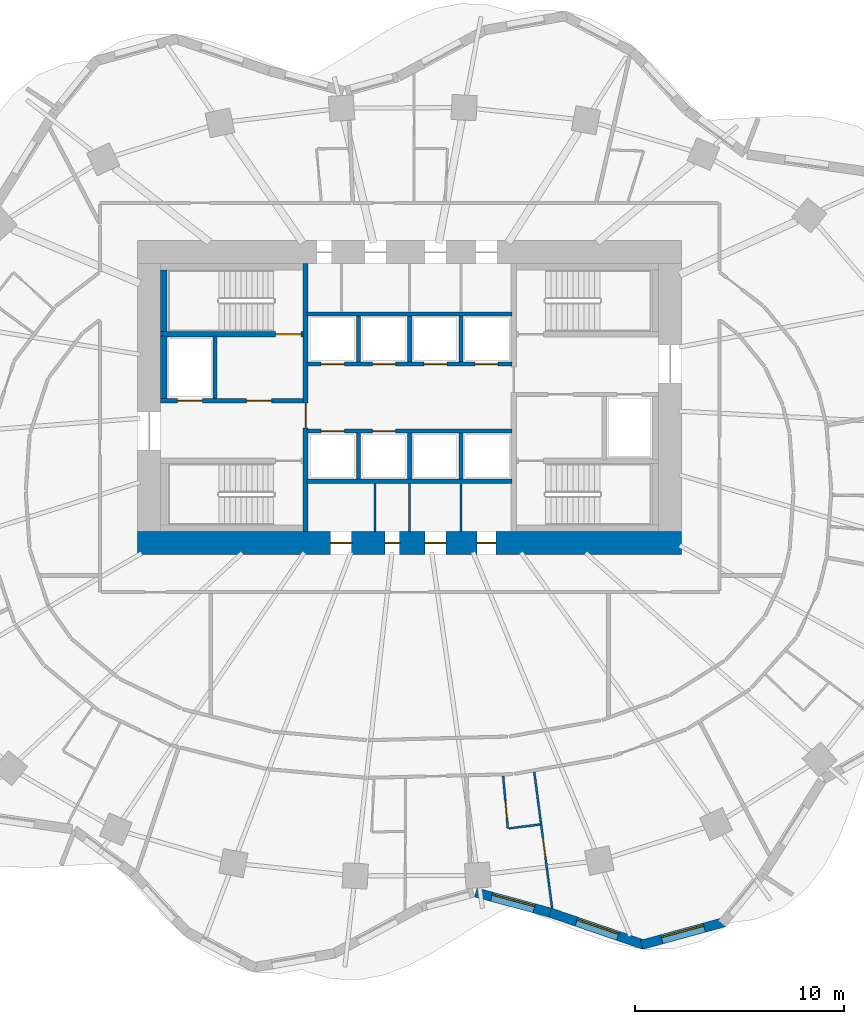
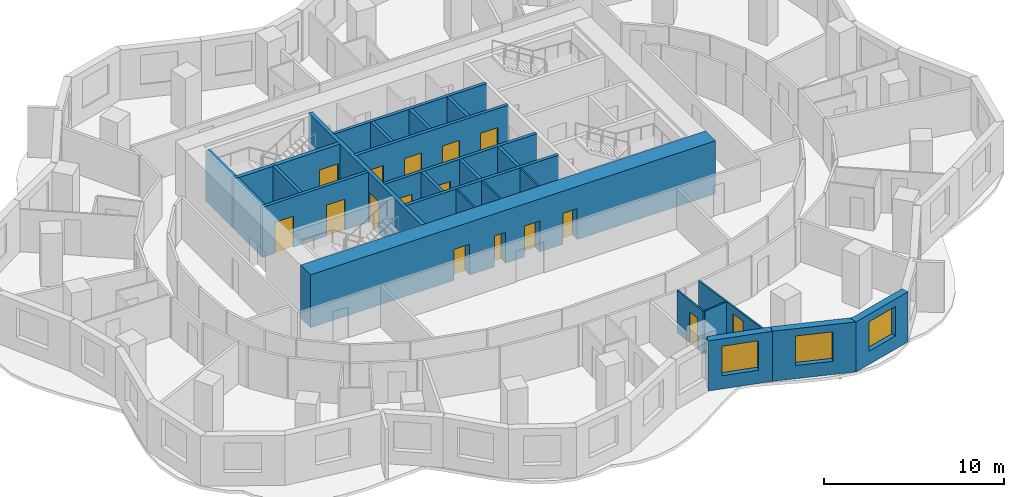
# One storey, part 5 of 10: 26 walls, 16 doors, 3 windows, 19 openings.
"""IFC4 building model written with IfcOpenShell, lengths in metres."""

from ifc_helpers import new_model, si_unit, direction, frame, frame_2d, origin, place, context, subcontext, project, spatial, rectangle, extrude, material, layer, layer_set, type_object, element, fill, save


model = new_model("IFC4")

# Units and contexts
model_context = context("Model", 3, precision=1e-05, world=origin(), true_north=direction((0.0, 1.0)))
body_context = subcontext(model_context, "Body", "Model", "MODEL_VIEW")
ifc_project = project(units=[si_unit("LENGTHUNIT", "METRE"), si_unit("AREAUNIT", "SQUARE_METRE"), si_unit("VOLUMEUNIT", "CUBIC_METRE"), si_unit("PLANEANGLEUNIT", "RADIAN"), si_unit("MASSUNIT", "GRAM", prefix="KILO")], contexts=[model_context])

# Site, building, storey
site_placement = place(None, origin())
site = spatial("IfcSite", under=ifc_project, at=site_placement, CompositionType="ELEMENT")
building_placement = place(site_placement, origin())
building = spatial("IfcBuilding", under=site, at=building_placement, Name="Rubra Terraces Tower", CompositionType="ELEMENT")
storey_placement = place(building_placement, frame((0.0, 0.0, 88.800048828125)))
storey = spatial("IfcBuildingStorey", under=building, at=storey_placement, Name="L20", CompositionType="ELEMENT", Elevation=88.800048828125)

# Wall, opening, window
ifc_material_1 = material(Name="Brick masonry red-brown", Category="masonry")
ifc_layer_1 = layer(ifc_material_1, 0.449951171875)
ifc_layer_set_1 = layer_set([ifc_layer_1], Name="Brick masonry red-brown")
wall_type_1 = type_object("IfcWallType", Name="Brick facade wall 450", PredefinedType="SOLIDWALL", material=ifc_layer_set_1)
wall_1_placement = place(storey_placement, frame((3.164306640625, -19.147216796875, 0.0), z_axis=(0.0, 0.0, 1.0), x_axis=(0.965039479998, -0.262104563191, 0.0)))
wall_1 = element("IfcWall", 1, at=wall_1_placement, inside=storey, type_object=wall_type_1, Name="Facade wall L20 bay 32", PredefinedType="SOLIDWALL", context=body_context, shape_type="SweptSolid", body=[
    extrude(rectangle(XDim=3.671875, YDim=0.449951171875, at=frame_2d((1.8359375, 0.0))), origin(), (0.0, 0.0, 1.0), 3.39990234375),
])
opening_1_placement = place(wall_1_placement, frame((0.785888671875, 0.0, 0.89990234375)))
opening_1 = element("IfcOpeningElement", 2, at=opening_1_placement, cuts=wall_1, Name="Opening W1", PredefinedType="OPENING", context=body_context, shape_type="SweptSolid", body=[
    extrude(rectangle(XDim=2.10009765625, YDim=2.0, at=frame_2d((1.050048828125, 1.0))), frame((0.0, 0.23486328125, 0.0), z_axis=(0.0, -1.0, 0.0), x_axis=(1.0, 0.0, 0.0)), (0.0, 0.0, 1.0), 0.469970703125),
])
ifc_material_2 = material(Name="Clear glass in aluminium frame", Category="aluminium")
window_type = type_object("IfcWindowType", Name="Fixed deep-set window 2100 x 2000", PartitioningType="SINGLE_PANEL", PredefinedType="WINDOW", material=ifc_material_2)
window_1_placement = place(opening_1_placement, origin())
window_1 = element("IfcWindow", 3, at=window_1_placement, inside=storey, type_object=window_type, Name="Window L20 bay 32", OverallHeight=2.0, OverallWidth=2.10009765625, PartitioningType="SINGLE_PANEL", PredefinedType="WINDOW", context=body_context, shape_type="SweptSolid", body=[
    extrude(rectangle(XDim=2.10009765625, YDim=2.0, at=frame_2d((1.050048828125, 1.0))), frame((0.0, 0.135009765625, 0.0), z_axis=(0.0, -1.0, 0.0), x_axis=(1.0, 0.0, 0.0)), (0.0, 0.0, 1.0), 0.06005859375),
])
fill(opening_1, window_1)

wall_2_placement = place(storey_placement, frame((6.722900390625, -20.114013671875, 0.0), z_axis=(0.0, 0.0, 1.0), x_axis=(0.945947299026, -0.324320377815, 0.0)))
wall_2 = element("IfcWall", 4, at=wall_2_placement, inside=storey, type_object=wall_type_1, Name="Facade wall L20 bay 33", PredefinedType="SOLIDWALL", context=body_context, shape_type="SweptSolid", body=[
    extrude(rectangle(XDim=4.74462890625, YDim=0.449951171875, at=frame_2d((2.372314453125, 0.0))), origin(), (0.0, 0.0, 1.0), 3.39990234375),
])
opening_2_placement = place(wall_2_placement, frame((1.322265625, 0.0, 0.89990234375)))
opening_2 = element("IfcOpeningElement", 5, at=opening_2_placement, cuts=wall_2, Name="Opening W1", PredefinedType="OPENING", context=body_context, shape_type="SweptSolid", body=[
    extrude(rectangle(XDim=2.10009765625, YDim=2.0, at=frame_2d((1.050048828125, 1.0))), frame((0.0, 0.23486328125, 0.0), z_axis=(0.0, -1.0, 0.0), x_axis=(1.0, 0.0, 0.0)), (0.0, 0.0, 1.0), 0.469970703125),
])
window_2_placement = place(opening_2_placement, origin())
window_2 = element("IfcWindow", 6, at=window_2_placement, inside=storey, type_object=window_type, Name="Window L20 bay 33", OverallHeight=2.0, OverallWidth=2.10009765625, PartitioningType="SINGLE_PANEL", PredefinedType="WINDOW", context=body_context, shape_type="SweptSolid", body=[
    extrude(rectangle(XDim=2.10009765625, YDim=2.0, at=frame_2d((1.050048828125, 1.0))), frame((0.0, 0.135009765625, 0.0), z_axis=(0.0, -1.0, 0.0), x_axis=(1.0, 0.0, 0.0)), (0.0, 0.0, 1.0), 0.06005859375),
])
fill(opening_2, window_2)

wall_3_placement = place(storey_placement, frame((11.08251953125, -21.64990234375, 0.0), z_axis=(0.0, 0.0, 1.0), x_axis=(0.964483204983, 0.264144179011, 0.0)))
wall_3 = element("IfcWall", 7, at=wall_3_placement, inside=storey, type_object=wall_type_1, Name="Facade wall L20 bay 34", PredefinedType="SOLIDWALL", context=body_context, shape_type="SweptSolid", body=[
    extrude(rectangle(XDim=4.103759765625, YDim=0.449951171875, at=frame_2d((2.0517578125, 0.0))), origin(), (0.0, 0.0, 1.0), 3.39990234375),
])
opening_3_placement = place(wall_3_placement, frame((1.001953125, 0.0, 0.89990234375)))
opening_3 = element("IfcOpeningElement", 8, at=opening_3_placement, cuts=wall_3, Name="Opening W1", PredefinedType="OPENING", context=body_context, shape_type="SweptSolid", body=[
    extrude(rectangle(XDim=2.10009765625, YDim=2.0, at=frame_2d((1.050048828125, 1.0))), frame((0.0, 0.23486328125, 0.0), z_axis=(0.0, -1.0, 0.0), x_axis=(1.0, 0.0, 0.0)), (0.0, 0.0, 1.0), 0.469970703125),
])
window_3_placement = place(opening_3_placement, origin())
window_3 = element("IfcWindow", 9, at=window_3_placement, inside=storey, type_object=window_type, Name="Window L20 bay 34", OverallHeight=2.0, OverallWidth=2.10009765625, PartitioningType="SINGLE_PANEL", PredefinedType="WINDOW", context=body_context, shape_type="SweptSolid", body=[
    extrude(rectangle(XDim=2.10009765625, YDim=2.0, at=frame_2d((1.050048828125, 1.0))), frame((0.0, 0.135009765625, 0.0), z_axis=(0.0, -1.0, 0.0), x_axis=(1.0, 0.0, 0.0)), (0.0, 0.0, 1.0), 0.06005859375),
])
fill(opening_3, window_3)

# Wall, openings, doors
ifc_material_3 = material(Name="Concrete C60", Category="concrete")
ifc_layer_2 = layer(ifc_material_3, 1.10009765625)
ifc_layer_set_2 = layer_set([ifc_layer_2], Name="Concrete C60")
wall_type_2 = type_object("IfcWallType", Name="CORE WALL 1100 C60", PredefinedType="SHEAR", material=ifc_layer_set_2)
wall_4_placement = place(storey_placement, frame((-13.0, -2.449951171875, 0.0), z_axis=(0.0, 0.0, 1.0), x_axis=(1.0, 0.0, 0.0)))
wall_4 = element("IfcWall", 10, at=wall_4_placement, inside=storey, type_object=wall_type_2, Name="CORE WALL S L20", PredefinedType="SHEAR", context=body_context, shape_type="SweptSolid", body=[
    extrude(rectangle(XDim=26.0, YDim=1.10009765625, at=frame_2d((13.0, 0.0))), origin(), (0.0, 0.0, 1.0), 3.599853515625),
])
opening_4_placement = place(wall_4_placement, frame((9.22509765625, 0.0, 0.0)))
opening_4 = element("IfcOpeningElement", 11, at=opening_4_placement, cuts=wall_4, Name="Opening L20.C19", PredefinedType="OPENING", context=body_context, shape_type="SweptSolid", body=[
    extrude(rectangle(XDim=1.0, YDim=2.10009765625, at=frame_2d((0.5, 1.050048828125))), frame((0.0, 0.56005859375, 0.0), z_axis=(0.0, -1.0, 0.0), x_axis=(1.0, 0.0, 0.0)), (0.0, 0.0, 1.0), 1.1201171875),
])
opening_5_placement = place(wall_4_placement, frame((11.824951171875, 0.0, 0.0)))
opening_5 = element("IfcOpeningElement", 12, at=opening_5_placement, cuts=wall_4, Name="Opening L20.C20", PredefinedType="OPENING", context=body_context, shape_type="SweptSolid", body=[
    extrude(rectangle(XDim=0.699951171875, YDim=2.10009765625, at=frame_2d((0.35009765625, 1.050048828125))), frame((0.0, 0.56005859375, 0.0), z_axis=(0.0, -1.0, 0.0), x_axis=(1.0, 0.0, 0.0)), (0.0, 0.0, 1.0), 1.1201171875),
])
opening_6_placement = place(wall_4_placement, frame((13.72509765625, 0.0, 0.0)))
opening_6 = element("IfcOpeningElement", 13, at=opening_6_placement, cuts=wall_4, Name="Opening L20.C21", PredefinedType="OPENING", context=body_context, shape_type="SweptSolid", body=[
    extrude(rectangle(XDim=1.0, YDim=2.10009765625, at=frame_2d((0.5, 1.050048828125))), frame((0.0, 0.56005859375, 0.0), z_axis=(0.0, -1.0, 0.0), x_axis=(1.0, 0.0, 0.0)), (0.0, 0.0, 1.0), 1.1201171875),
])
opening_7_placement = place(wall_4_placement, frame((16.22509765625, 0.0, 0.0)))
opening_7 = element("IfcOpeningElement", 14, at=opening_7_placement, cuts=wall_4, Name="Opening L20.C22", PredefinedType="OPENING", context=body_context, shape_type="SweptSolid", body=[
    extrude(rectangle(XDim=0.89990234375, YDim=2.10009765625, at=frame_2d((0.449951171875, 1.050048828125))), frame((0.0, 0.56005859375, 0.0), z_axis=(0.0, -1.0, 0.0), x_axis=(1.0, 0.0, 0.0)), (0.0, 0.0, 1.0), 1.1201171875),
])
ifc_material_4 = material(Name="Painted steel", Category="steel")
door_type_1 = type_object("IfcDoorType", Name="Fire door 1000x2100 single", OperationType="NOTDEFINED", PredefinedType="DOOR", material=ifc_material_4)
door_1_placement = place(opening_4_placement, origin())
door_1 = element("IfcDoor", 15, at=door_1_placement, inside=storey, type_object=door_type_1, Name="Linen store door", OperationType="SINGLE_SWING_LEFT", OverallHeight=2.10009765625, OverallWidth=1.0, PredefinedType="DOOR", context=body_context, shape_type="SweptSolid", body=[
    extrude(rectangle(XDim=1.0, YDim=2.10009765625, at=frame_2d((0.5, 1.050048828125))), frame((0.0, 0.02490234375, 0.0), z_axis=(0.0, -1.0, 0.0), x_axis=(1.0, 0.0, 0.0)), (0.0, 0.0, 1.0), 0.050048828125),
])
fill(opening_4, door_1)
door_2_placement = place(opening_6_placement, origin())
door_2 = element("IfcDoor", 16, at=door_2_placement, inside=storey, type_object=door_type_1, Name="Ice and vending room door", OperationType="SINGLE_SWING_LEFT", OverallHeight=2.10009765625, OverallWidth=1.0, PredefinedType="DOOR", context=body_context, shape_type="SweptSolid", body=[
    extrude(rectangle(XDim=1.0, YDim=2.10009765625, at=frame_2d((0.5, 1.050048828125))), frame((0.0, 0.02490234375, 0.0), z_axis=(0.0, -1.0, 0.0), x_axis=(1.0, 0.0, 0.0)), (0.0, 0.0, 1.0), 0.050048828125),
])
fill(opening_6, door_2)
door_type_2 = type_object("IfcDoorType", Name="Fire door 900x2100 single", OperationType="NOTDEFINED", PredefinedType="DOOR", material=ifc_material_4)
door_3_placement = place(opening_7_placement, origin())
door_3 = element("IfcDoor", 17, at=door_3_placement, inside=storey, type_object=door_type_2, Name="Cleaner's store door", OperationType="SINGLE_SWING_RIGHT", OverallHeight=2.10009765625, OverallWidth=0.89990234375, PredefinedType="DOOR", context=body_context, shape_type="SweptSolid", body=[
    extrude(rectangle(XDim=0.89990234375, YDim=2.10009765625, at=frame_2d((0.449951171875, 1.050048828125))), frame((0.0, 0.02490234375, 0.0), z_axis=(0.0, -1.0, 0.0), x_axis=(1.0, 0.0, 0.0)), (0.0, 0.0, 1.0), 0.050048828125),
])
fill(opening_7, door_3)
door_type_3 = type_object("IfcDoorType", Name="Riser access door 700x2100 single", OperationType="NOTDEFINED", PredefinedType="DOOR", material=ifc_material_4)
door_4_placement = place(opening_5_placement, origin())
door_4 = element("IfcDoor", 18, at=door_4_placement, inside=storey, type_object=door_type_3, Name="Telecoms room door", OperationType="SINGLE_SWING_RIGHT", OverallHeight=2.10009765625, OverallWidth=0.699951171875, PredefinedType="DOOR", context=body_context, shape_type="SweptSolid", body=[
    extrude(rectangle(XDim=0.699951171875, YDim=2.10009765625, at=frame_2d((0.35009765625, 1.050048828125))), frame((0.0, 0.02490234375, 0.0), z_axis=(0.0, -1.0, 0.0), x_axis=(1.0, 0.0, 0.0)), (0.0, 0.0, 1.0), 0.050048828125),
])
fill(opening_5, door_4)

# Walls
ifc_material_5 = material(Name="Concrete C40", Category="concrete")
ifc_layer_3 = layer(ifc_material_5, 0.300048828125)
ifc_layer_set_3 = layer_set([ifc_layer_3], Name="Concrete C40")
wall_type_3 = type_object("IfcWallType", Name="Core lining wall 300 concrete", PredefinedType="SOLIDWALL", material=ifc_layer_set_3)
wall_5_placement = place(storey_placement, frame((-11.75, 4.449951171875, 0.0), z_axis=(0.0, 0.0, 1.0), x_axis=(0.0, 1.0, 0.0)))
element("IfcWall", 19, at=wall_5_placement, inside=storey, type_object=wall_type_3, Name="CORE LINING WALL L20", PredefinedType="SOLIDWALL", context=body_context, shape_type="SweptSolid", body=[
    extrude(rectangle(XDim=3.0, YDim=0.300048828125, at=frame_2d((1.5, 0.0))), origin(), (0.0, 0.0, 1.0), 3.39990234375),
])
wall_6_placement = place(storey_placement, frame((-11.75, 7.64990234375, 0.0), z_axis=(0.0, 0.0, 1.0), x_axis=(0.0, 1.0, 0.0)))
element("IfcWall", 20, at=wall_6_placement, inside=storey, type_object=wall_type_3, Name="CORE LINING WALL L20", PredefinedType="SOLIDWALL", context=body_context, shape_type="SweptSolid", body=[
    extrude(rectangle(XDim=2.9501953125, YDim=0.300048828125, at=frame_2d((1.47509765625, 0.0))), origin(), (0.0, 0.0, 1.0), 3.39990234375),
])

# Wall, openings, doors
ifc_material_6 = material(Name="Concrete C30", Category="concrete")
ifc_layer_4 = layer(ifc_material_6, 0.199951171875)
ifc_layer_set_4 = layer_set([ifc_layer_4], Name="Concrete C30")
wall_type_4 = type_object("IfcWallType", Name="Core wall 200 concrete", PredefinedType="SOLIDWALL", material=ifc_layer_set_4)
wall_7_placement = place(storey_placement, frame((-11.89990234375, 4.35009765625, 0.0), z_axis=(0.0, 0.0, 1.0), x_axis=(1.0, 0.0, 0.0)))
wall_7 = element("IfcWall", 21, at=wall_7_placement, inside=storey, type_object=wall_type_4, Name="STAIR WALL L20", PredefinedType="SOLIDWALL", context=body_context, shape_type="SweptSolid", body=[
    extrude(rectangle(XDim=6.7998046875, YDim=0.199951171875, at=frame_2d((3.39990234375, 0.0))), origin(), (0.0, 0.0, 1.0), 3.39990234375),
])
opening_8_placement = place(wall_7_placement, frame((4.10009765625, 0.0, 0.0)))
opening_8 = element("IfcOpeningElement", 22, at=opening_8_placement, cuts=wall_7, Name="Opening L20.C05", PredefinedType="OPENING", context=body_context, shape_type="SweptSolid", body=[
    extrude(rectangle(XDim=1.199951171875, YDim=2.10009765625, at=frame_2d((0.60009765625, 1.050048828125))), frame((0.0, 0.10986328125, 0.0), z_axis=(0.0, -1.0, 0.0), x_axis=(1.0, 0.0, 0.0)), (0.0, 0.0, 1.0), 0.219970703125),
])
opening_9_placement = place(wall_7_placement, frame((0.800048828125, 0.0, 0.0)))
opening_9 = element("IfcOpeningElement", 23, at=opening_9_placement, cuts=wall_7, Name="Opening L20.C11", PredefinedType="OPENING", context=body_context, shape_type="SweptSolid", body=[
    extrude(rectangle(XDim=1.199951171875, YDim=2.10009765625, at=frame_2d((0.60009765625, 1.050048828125))), frame((0.0, 0.10986328125, 0.0), z_axis=(0.0, -1.0, 0.0), x_axis=(1.0, 0.0, 0.0)), (0.0, 0.0, 1.0), 0.219970703125),
])
door_type_4 = type_object("IfcDoorType", Name="Fire door 1200x2100 single", OperationType="NOTDEFINED", PredefinedType="DOOR", material=ifc_material_4)
door_5_placement = place(opening_8_placement, origin())
door_5 = element("IfcDoor", 24, at=door_5_placement, inside=storey, type_object=door_type_4, Name="Stair vestibule door S2", OperationType="SINGLE_SWING_LEFT", OverallHeight=2.10009765625, OverallWidth=1.199951171875, PredefinedType="DOOR", context=body_context, shape_type="SweptSolid", body=[
    extrude(rectangle(XDim=1.199951171875, YDim=2.10009765625, at=frame_2d((0.60009765625, 1.050048828125))), frame((0.0, 0.02490234375, 0.0), z_axis=(0.0, -1.0, 0.0), x_axis=(1.0, 0.0, 0.0)), (0.0, 0.0, 1.0), 0.050048828125),
])
fill(opening_8, door_5)
ifc_material_7 = material(Name="Stainless steel", Category="steel")
door_type_5 = type_object("IfcDoorType", Name="Lift landing door 1200x2100", OperationType="NOTDEFINED", PredefinedType="DOOR", material=ifc_material_7)
door_6_placement = place(opening_9_placement, origin())
door_6 = element("IfcDoor", 25, at=door_6_placement, inside=storey, type_object=door_type_5, Name="Landing door FF1", OperationType="SLIDING_TO_RIGHT", OverallHeight=2.10009765625, OverallWidth=1.199951171875, PredefinedType="DOOR", context=body_context, shape_type="SweptSolid", body=[
    extrude(rectangle(XDim=1.199951171875, YDim=2.10009765625, at=frame_2d((0.60009765625, 1.050048828125))), frame((0.0, 0.02490234375, 0.0), z_axis=(0.0, -1.0, 0.0), x_axis=(1.0, 0.0, 0.0)), (0.0, 0.0, 1.0), 0.050048828125),
])
fill(opening_9, door_6)

# Walls
wall_8_placement = place(storey_placement, frame((-9.300048828125, 4.449951171875, 0.0), z_axis=(0.0, 0.0, 1.0), x_axis=(0.0, 1.0, 0.0)))
element("IfcWall", 26, at=wall_8_placement, inside=storey, type_object=wall_type_4, Name="STAIR WALL L20", PredefinedType="SOLIDWALL", context=body_context, shape_type="SweptSolid", body=[
    extrude(rectangle(XDim=3.0, YDim=0.199951171875, at=frame_2d((1.5, 0.0))), origin(), (0.0, 0.0, 1.0), 3.39990234375),
])
wall_9_placement = place(storey_placement, frame((-4.89990234375, 0.5, 0.0), z_axis=(0.0, 0.0, 1.0), x_axis=(1.0, 0.0, 0.0)))
element("IfcWall", 27, at=wall_9_placement, inside=storey, type_object=wall_type_4, Name="LIFT SHAFT WALL L20", PredefinedType="SOLIDWALL", context=body_context, shape_type="SweptSolid", body=[
    extrude(rectangle(XDim=9.7998046875, YDim=0.199951171875, at=frame_2d((4.89990234375, 0.0))), origin(), (0.0, 0.0, 1.0), 3.39990234375),
])

# Wall, openings, doors
wall_10_placement = place(storey_placement, frame((-4.89990234375, 2.89990234375, 0.0), z_axis=(0.0, 0.0, 1.0), x_axis=(1.0, 0.0, 0.0)))
wall_10 = element("IfcWall", 28, at=wall_10_placement, inside=storey, type_object=wall_type_4, Name="LIFT SHAFT WALL L20", PredefinedType="SOLIDWALL", context=body_context, shape_type="SweptSolid", body=[
    extrude(rectangle(XDim=9.7998046875, YDim=0.199951171875, at=frame_2d((4.89990234375, 0.0))), origin(), (0.0, 0.0, 1.0), 3.39990234375),
])
opening_10_placement = place(wall_10_placement, frame((0.675048828125, 0.0, 0.0)))
opening_10 = element("IfcOpeningElement", 29, at=opening_10_placement, cuts=wall_10, Name="Opening L20.C13", PredefinedType="OPENING", context=body_context, shape_type="SweptSolid", body=[
    extrude(rectangle(XDim=1.10009765625, YDim=2.10009765625, at=frame_2d((0.550048828125, 1.050048828125))), frame((0.0, 0.10986328125, 0.0), z_axis=(0.0, -1.0, 0.0), x_axis=(1.0, 0.0, 0.0)), (0.0, 0.0, 1.0), 0.219970703125),
])
opening_11_placement = place(wall_10_placement, frame((3.125, 0.0, 0.0)))
opening_11 = element("IfcOpeningElement", 30, at=opening_11_placement, cuts=wall_10, Name="Opening L20.C14", PredefinedType="OPENING", context=body_context, shape_type="SweptSolid", body=[
    extrude(rectangle(XDim=1.10009765625, YDim=2.10009765625, at=frame_2d((0.550048828125, 1.050048828125))), frame((0.0, 0.10986328125, 0.0), z_axis=(0.0, -1.0, 0.0), x_axis=(1.0, 0.0, 0.0)), (0.0, 0.0, 1.0), 0.219970703125),
])
door_type_6 = type_object("IfcDoorType", Name="Lift landing door 1100x2100", OperationType="NOTDEFINED", PredefinedType="DOOR", material=ifc_material_7)
door_7_placement = place(opening_10_placement, origin())
door_7 = element("IfcDoor", 31, at=door_7_placement, inside=storey, type_object=door_type_6, Name="Landing door LB1", OperationType="SLIDING_TO_RIGHT", OverallHeight=2.10009765625, OverallWidth=1.10009765625, PredefinedType="DOOR", context=body_context, shape_type="SweptSolid", body=[
    extrude(rectangle(XDim=1.10009765625, YDim=2.10009765625, at=frame_2d((0.550048828125, 1.050048828125))), frame((0.0, 0.02490234375, 0.0), z_axis=(0.0, -1.0, 0.0), x_axis=(1.0, 0.0, 0.0)), (0.0, 0.0, 1.0), 0.050048828125),
])
fill(opening_10, door_7)
door_8_placement = place(opening_11_placement, origin())
door_8 = element("IfcDoor", 32, at=door_8_placement, inside=storey, type_object=door_type_6, Name="Landing door LB2", OperationType="SLIDING_TO_LEFT", OverallHeight=2.10009765625, OverallWidth=1.10009765625, PredefinedType="DOOR", context=body_context, shape_type="SweptSolid", body=[
    extrude(rectangle(XDim=1.10009765625, YDim=2.10009765625, at=frame_2d((0.550048828125, 1.050048828125))), frame((0.0, 0.02490234375, 0.0), z_axis=(0.0, -1.0, 0.0), x_axis=(1.0, 0.0, 0.0)), (0.0, 0.0, 1.0), 0.050048828125),
])
fill(opening_11, door_8)

wall_11_placement = place(storey_placement, frame((-4.89990234375, 6.10009765625, 0.0), z_axis=(0.0, 0.0, 1.0), x_axis=(1.0, 0.0, 0.0)))
wall_11 = element("IfcWall", 33, at=wall_11_placement, inside=storey, type_object=wall_type_4, Name="LIFT SHAFT WALL L20", PredefinedType="SOLIDWALL", context=body_context, shape_type="SweptSolid", body=[
    extrude(rectangle(XDim=9.7998046875, YDim=0.199951171875, at=frame_2d((4.89990234375, 0.0))), origin(), (0.0, 0.0, 1.0), 3.39990234375),
])
opening_12_placement = place(wall_11_placement, frame((0.675048828125, 0.0, 0.0)))
opening_12 = element("IfcOpeningElement", 34, at=opening_12_placement, cuts=wall_11, Name="Opening L20.C15", PredefinedType="OPENING", context=body_context, shape_type="SweptSolid", body=[
    extrude(rectangle(XDim=1.10009765625, YDim=2.10009765625, at=frame_2d((0.550048828125, 1.050048828125))), frame((0.0, 0.10986328125, 0.0), z_axis=(0.0, -1.0, 0.0), x_axis=(1.0, 0.0, 0.0)), (0.0, 0.0, 1.0), 0.219970703125),
])
opening_13_placement = place(wall_11_placement, frame((3.125, 0.0, 0.0)))
opening_13 = element("IfcOpeningElement", 35, at=opening_13_placement, cuts=wall_11, Name="Opening L20.C16", PredefinedType="OPENING", context=body_context, shape_type="SweptSolid", body=[
    extrude(rectangle(XDim=1.10009765625, YDim=2.10009765625, at=frame_2d((0.550048828125, 1.050048828125))), frame((0.0, 0.10986328125, 0.0), z_axis=(0.0, -1.0, 0.0), x_axis=(1.0, 0.0, 0.0)), (0.0, 0.0, 1.0), 0.219970703125),
])
opening_14_placement = place(wall_11_placement, frame((5.574951171875, 0.0, 0.0)))
opening_14 = element("IfcOpeningElement", 36, at=opening_14_placement, cuts=wall_11, Name="Opening L20.C17", PredefinedType="OPENING", context=body_context, shape_type="SweptSolid", body=[
    extrude(rectangle(XDim=1.10009765625, YDim=2.10009765625, at=frame_2d((0.550048828125, 1.050048828125))), frame((0.0, 0.10986328125, 0.0), z_axis=(0.0, -1.0, 0.0), x_axis=(1.0, 0.0, 0.0)), (0.0, 0.0, 1.0), 0.219970703125),
])
opening_15_placement = place(wall_11_placement, frame((8.02490234375, 0.0, 0.0)))
opening_15 = element("IfcOpeningElement", 37, at=opening_15_placement, cuts=wall_11, Name="Opening L20.C18", PredefinedType="OPENING", context=body_context, shape_type="SweptSolid", body=[
    extrude(rectangle(XDim=1.10009765625, YDim=2.10009765625, at=frame_2d((0.550048828125, 1.050048828125))), frame((0.0, 0.10986328125, 0.0), z_axis=(0.0, -1.0, 0.0), x_axis=(1.0, 0.0, 0.0)), (0.0, 0.0, 1.0), 0.219970703125),
])
door_9_placement = place(opening_12_placement, origin())
door_9 = element("IfcDoor", 38, at=door_9_placement, inside=storey, type_object=door_type_6, Name="Landing door LB3", OperationType="SLIDING_TO_RIGHT", OverallHeight=2.10009765625, OverallWidth=1.10009765625, PredefinedType="DOOR", context=body_context, shape_type="SweptSolid", body=[
    extrude(rectangle(XDim=1.10009765625, YDim=2.10009765625, at=frame_2d((0.550048828125, 1.050048828125))), frame((0.0, 0.02490234375, 0.0), z_axis=(0.0, -1.0, 0.0), x_axis=(1.0, 0.0, 0.0)), (0.0, 0.0, 1.0), 0.050048828125),
])
fill(opening_12, door_9)
door_10_placement = place(opening_13_placement, origin())
door_10 = element("IfcDoor", 39, at=door_10_placement, inside=storey, type_object=door_type_6, Name="Landing door LB4", OperationType="SLIDING_TO_LEFT", OverallHeight=2.10009765625, OverallWidth=1.10009765625, PredefinedType="DOOR", context=body_context, shape_type="SweptSolid", body=[
    extrude(rectangle(XDim=1.10009765625, YDim=2.10009765625, at=frame_2d((0.550048828125, 1.050048828125))), frame((0.0, 0.02490234375, 0.0), z_axis=(0.0, -1.0, 0.0), x_axis=(1.0, 0.0, 0.0)), (0.0, 0.0, 1.0), 0.050048828125),
])
fill(opening_13, door_10)
door_11_placement = place(opening_14_placement, origin())
door_11 = element("IfcDoor", 40, at=door_11_placement, inside=storey, type_object=door_type_6, Name="Landing door LB5", OperationType="SLIDING_TO_RIGHT", OverallHeight=2.10009765625, OverallWidth=1.10009765625, PredefinedType="DOOR", context=body_context, shape_type="SweptSolid", body=[
    extrude(rectangle(XDim=1.10009765625, YDim=2.10009765625, at=frame_2d((0.550048828125, 1.050048828125))), frame((0.0, 0.02490234375, 0.0), z_axis=(0.0, -1.0, 0.0), x_axis=(1.0, 0.0, 0.0)), (0.0, 0.0, 1.0), 0.050048828125),
])
fill(opening_14, door_11)
door_12_placement = place(opening_15_placement, origin())
door_12 = element("IfcDoor", 41, at=door_12_placement, inside=storey, type_object=door_type_6, Name="Landing door LB6", OperationType="SLIDING_TO_LEFT", OverallHeight=2.10009765625, OverallWidth=1.10009765625, PredefinedType="DOOR", context=body_context, shape_type="SweptSolid", body=[
    extrude(rectangle(XDim=1.10009765625, YDim=2.10009765625, at=frame_2d((0.550048828125, 1.050048828125))), frame((0.0, 0.02490234375, 0.0), z_axis=(0.0, -1.0, 0.0), x_axis=(1.0, 0.0, 0.0)), (0.0, 0.0, 1.0), 0.050048828125),
])
fill(opening_15, door_12)

# Walls
wall_12_placement = place(storey_placement, frame((-4.89990234375, 8.5, 0.0), z_axis=(0.0, 0.0, 1.0), x_axis=(1.0, 0.0, 0.0)))
element("IfcWall", 42, at=wall_12_placement, inside=storey, type_object=wall_type_4, Name="LIFT SHAFT WALL L20", PredefinedType="SOLIDWALL", context=body_context, shape_type="SweptSolid", body=[
    extrude(rectangle(XDim=9.7998046875, YDim=0.199951171875, at=frame_2d((4.89990234375, 0.0))), origin(), (0.0, 0.0, 1.0), 3.39990234375),
])
for number, where, z_axis, x_axis, name in (
    (43, (-2.449951171875, 0.60009765625, 0.0), (0.0, 0.0, 1.0), (0.0, 1.0, 0.0), "LIFT SHAFT WALL L20"),
    (44, (0.0, 0.60009765625, 0.0), (0.0, 0.0, 1.0), (0.0, 1.0, 0.0), "LIFT SHAFT WALL L20"),
    (45, (2.449951171875, 0.60009765625, 0.0), (0.0, 0.0, 1.0), (0.0, 1.0, 0.0), "LIFT SHAFT WALL L20"),
    (46, (-2.449951171875, 6.199951171875, 0.0), (0.0, 0.0, 1.0), (0.0, 1.0, 0.0), "LIFT SHAFT WALL L20"),
    (47, (0.0, 6.199951171875, 0.0), (0.0, 0.0, 1.0), (0.0, 1.0, 0.0), "LIFT SHAFT WALL L20"),
    (48, (2.449951171875, 6.199951171875, 0.0), (0.0, 0.0, 1.0), (0.0, 1.0, 0.0), "LIFT SHAFT WALL L20"),
):
    element("IfcWall", number, at=place(storey_placement, frame(where, z_axis=z_axis, x_axis=x_axis)), inside=storey, type_object=wall_type_4, Name=name, PredefinedType="SOLIDWALL", context=body_context, shape_type="SweptSolid", body=[
        extrude(rectangle(XDim=2.199951171875, YDim=0.199951171875, at=frame_2d((1.10009765625, 0.0))), origin(), (0.0, 0.0, 1.0), 3.39990234375),
    ])

# Wall, opening, door
ifc_material_8 = material(Name="Plasterboard on steel stud", Category="steel")
ifc_layer_5 = layer(ifc_material_8, 0.10009765625)
ifc_layer_set_5 = layer_set([ifc_layer_5], Name="Plasterboard on steel stud")
wall_type_5 = type_object("IfcWallType", Name="ROOM PARTITION 100", PredefinedType="PARTITIONING", material=ifc_layer_set_5)
wall_13_placement = place(storey_placement, frame((6.80712890625, -19.905029296875, 0.0), z_axis=(0.0, 0.0, 1.0), x_axis=(-0.129895112789, 0.991527740244, 0.0)))
wall_13 = element("IfcWall", 49, at=wall_13_placement, inside=storey, type_object=wall_type_5, Name="PARTITION", PredefinedType="PARTITIONING", context=body_context, shape_type="SweptSolid", body=[
    extrude(rectangle(XDim=6.57080078125, YDim=0.10009765625, at=frame_2d((3.285400390625, 0.0))), origin(), (0.0, 0.0, 1.0), 2.884033203125),
])
opening_16_placement = place(wall_13_placement, frame((2.49609375, 0.0, 0.0)))
opening_16 = element("IfcOpeningElement", 50, at=opening_16_placement, cuts=wall_13, Name="Opening 20-119", PredefinedType="OPENING", context=body_context, shape_type="SweptSolid", body=[
    extrude(rectangle(XDim=0.89990234375, YDim=2.39990234375, at=frame_2d((0.449951171875, 1.199951171875))), frame((0.0, 0.06005859375, 0.0), z_axis=(0.0, -1.0, 0.0), x_axis=(1.0, 0.0, 0.0)), (0.0, 0.0, 1.0), 0.1201171875),
])
ifc_material_9 = material(Name="Veneered timber door leaf, fire-rated", Category="wood")
door_type_7 = type_object("IfcDoorType", Name="SUITE ENTRANCE DOOR 900 X 2400", OperationType="SINGLE_SWING_LEFT", PredefinedType="DOOR", material=ifc_material_9)
door_13_placement = place(opening_16_placement, origin())
door_13 = element("IfcDoor", 51, at=door_13_placement, inside=storey, type_object=door_type_7, Name="DOOR 20-119", OperationType="SINGLE_SWING_LEFT", OverallHeight=2.39990234375, OverallWidth=0.89990234375, PredefinedType="DOOR", context=body_context, shape_type="SweptSolid", body=[
    extrude(rectangle(XDim=0.89990234375, YDim=2.39990234375, at=frame_2d((0.449951171875, 1.199951171875))), frame((0.0, 0.02490234375, 0.0), z_axis=(0.0, -1.0, 0.0), x_axis=(1.0, 0.0, 0.0)), (0.0, 0.0, 1.0), 0.050048828125),
])
fill(opening_16, door_13)

wall_14_placement = place(storey_placement, frame((4.46630859375, -13.58056640625, 0.0), z_axis=(0.0, 0.0, 1.0), x_axis=(0.089541778651, -0.995983067063, 0.0)))
wall_14 = element("IfcWall", 52, at=wall_14_placement, inside=storey, type_object=wall_type_5, Name="PARTITION", PredefinedType="PARTITIONING", context=body_context, shape_type="SweptSolid", body=[
    extrude(rectangle(XDim=2.52490234375, YDim=0.10009765625, at=frame_2d((1.262451171875, 0.0))), origin(), (0.0, 0.0, 1.0), 2.884033203125),
])
opening_17_placement = place(wall_14_placement, frame((1.199951171875, 0.0, 0.0)))
opening_17 = element("IfcOpeningElement", 53, at=opening_17_placement, cuts=wall_14, Name="Opening 20-118", PredefinedType="OPENING", context=body_context, shape_type="SweptSolid", body=[
    extrude(rectangle(XDim=0.800048828125, YDim=2.10009765625, at=frame_2d((0.39990234375, 1.050048828125))), frame((0.0, 0.06005859375, 0.0), z_axis=(0.0, -1.0, 0.0), x_axis=(1.0, 0.0, 0.0)), (0.0, 0.0, 1.0), 0.1201171875),
])
ifc_material_10 = material(Name="Painted timber door leaf", Category="wood")
door_type_8 = type_object("IfcDoorType", Name="BATHROOM DOOR 800 X 2100", OperationType="SINGLE_SWING_LEFT", PredefinedType="DOOR", material=ifc_material_10)
door_14_placement = place(opening_17_placement, origin())
door_14 = element("IfcDoor", 54, at=door_14_placement, inside=storey, type_object=door_type_8, Name="DOOR 20-118", OperationType="SINGLE_SWING_LEFT", OverallHeight=2.10009765625, OverallWidth=0.800048828125, PredefinedType="DOOR", context=body_context, shape_type="SweptSolid", body=[
    extrude(rectangle(XDim=0.800048828125, YDim=2.10009765625, at=frame_2d((0.39990234375, 1.050048828125))), frame((0.0, 0.02490234375, 0.0), z_axis=(0.0, -1.0, 0.0), x_axis=(1.0, 0.0, 0.0)), (0.0, 0.0, 1.0), 0.050048828125),
])
fill(opening_17, door_14)

# Walls
wall_15_placement = place(storey_placement, frame((4.741943359375, -16.089111328125, 0.0), z_axis=(0.0, 0.0, 1.0), x_axis=(0.992013080374, 0.126135040205, 0.0)))
element("IfcWall", 55, at=wall_15_placement, inside=storey, type_object=wall_type_5, Name="PARTITION", PredefinedType="PARTITIONING", context=body_context, shape_type="SweptSolid", body=[
    extrude(rectangle(XDim=1.501953125, YDim=0.10009765625, at=frame_2d((0.7509765625, 0.0))), origin(), (0.0, 0.0, 1.0), 2.884033203125),
])
ifc_material_11 = material(Name="Blockwork", Category="masonry")
ifc_layer_6 = layer(ifc_material_11, 0.10009765625)
ifc_layer_set_6 = layer_set([ifc_layer_6], Name="Blockwork")
wall_type_6 = type_object("IfcWallType", Name="Service partition 100 blockwork", PredefinedType="PARTITIONING", material=ifc_layer_set_6)
for number, where, z_axis, x_axis, name in (
    (56, (-1.64990234375, -1.89990234375, 0.0), (0.0, 0.0, 1.0), (0.0, 1.0, 0.0), "SERVICE ROOM PARTITION L20"),
    (57, (0.0, -1.89990234375, 0.0), (0.0, 0.0, 1.0), (0.0, 1.0, 0.0), "SERVICE ROOM PARTITION L20"),
    (58, (2.449951171875, -1.89990234375, 0.0), (0.0, 0.0, 1.0), (0.0, 1.0, 0.0), "SERVICE ROOM PARTITION L20"),
):
    element("IfcWall", number, at=place(storey_placement, frame(where, z_axis=z_axis, x_axis=x_axis)), inside=storey, type_object=wall_type_6, Name=name, PredefinedType="PARTITIONING", context=body_context, shape_type="SweptSolid", body=[
        extrude(rectangle(XDim=2.2998046875, YDim=0.10009765625, at=frame_2d((1.14990234375, 0.0))), origin(), (0.0, 0.0, 1.0), 3.39990234375),
    ])

# Wall, opening, door
ifc_layer_7 = layer(ifc_material_5, 0.25)
ifc_layer_set_7 = layer_set([ifc_layer_7], Name="Concrete C40")
wall_type_7 = type_object("IfcWallType", Name="Stair enclosure wall 250 concrete", PredefinedType="SOLIDWALL", material=ifc_layer_set_7)
wall_16_placement = place(storey_placement, frame((-11.89990234375, 7.52490234375, 0.0), z_axis=(0.0, 0.0, 1.0), x_axis=(1.0, 0.0, 0.0)))
wall_16 = element("IfcWall", 59, at=wall_16_placement, inside=storey, type_object=wall_type_7, Name="STAIR WALL L20", PredefinedType="SOLIDWALL", context=body_context, shape_type="SweptSolid", body=[
    extrude(rectangle(XDim=6.7998046875, YDim=0.25, at=frame_2d((3.39990234375, 0.0))), origin(), (0.0, 0.0, 1.0), 3.39990234375),
])
opening_18_placement = place(wall_16_placement, frame((5.5, 0.0, 0.0)))
opening_18 = element("IfcOpeningElement", 60, at=opening_18_placement, cuts=wall_16, Name="Opening L20.C09", PredefinedType="OPENING", context=body_context, shape_type="SweptSolid", body=[
    extrude(rectangle(XDim=1.199951171875, YDim=2.10009765625, at=frame_2d((0.60009765625, 1.050048828125))), frame((0.0, 0.135009765625, 0.0), z_axis=(0.0, -1.0, 0.0), x_axis=(1.0, 0.0, 0.0)), (0.0, 0.0, 1.0), 0.27001953125),
])
door_15_placement = place(opening_18_placement, origin())
door_15 = element("IfcDoor", 61, at=door_15_placement, inside=storey, type_object=door_type_4, Name="Stair door S2", OperationType="SINGLE_SWING_LEFT", OverallHeight=2.10009765625, OverallWidth=1.199951171875, PredefinedType="DOOR", context=body_context, shape_type="SweptSolid", body=[
    extrude(rectangle(XDim=1.199951171875, YDim=2.10009765625, at=frame_2d((0.60009765625, 1.050048828125))), frame((0.0, 0.02490234375, 0.0), z_axis=(0.0, -1.0, 0.0), x_axis=(1.0, 0.0, 0.0)), (0.0, 0.0, 1.0), 0.050048828125),
])
fill(opening_18, door_15)

wall_17_placement = place(storey_placement, frame((-4.97509765625, -1.89990234375, 0.0), z_axis=(0.0, 0.0, 1.0), x_axis=(0.0, 1.0, 0.0)))
wall_17 = element("IfcWall", 62, at=wall_17_placement, inside=storey, type_object=wall_type_7, Name="CORE LOBBY WALL L20", PredefinedType="SOLIDWALL", context=body_context, shape_type="SweptSolid", body=[
    extrude(rectangle(XDim=12.7998046875, YDim=0.25, at=frame_2d((6.39990234375, 0.0))), origin(), (0.0, 0.0, 1.0), 3.39990234375),
])
opening_19_placement = place(wall_17_placement, frame((4.949951171875, 0.0, 0.0)))
opening_19 = element("IfcOpeningElement", 63, at=opening_19_placement, cuts=wall_17, Name="Opening L20.C03", PredefinedType="OPENING", context=body_context, shape_type="SweptSolid", body=[
    extrude(rectangle(XDim=1.199951171875, YDim=2.10009765625, at=frame_2d((0.60009765625, 1.050048828125))), frame((0.0, 0.135009765625, 0.0), z_axis=(0.0, -1.0, 0.0), x_axis=(1.0, 0.0, 0.0)), (0.0, 0.0, 1.0), 0.27001953125),
])
door_16_placement = place(opening_19_placement, origin())
door_16 = element("IfcDoor", 64, at=door_16_placement, inside=storey, type_object=door_type_4, Name="Firefighting lobby door FF1", OperationType="SINGLE_SWING_LEFT", OverallHeight=2.10009765625, OverallWidth=1.199951171875, PredefinedType="DOOR", context=body_context, shape_type="SweptSolid", body=[
    extrude(rectangle(XDim=1.199951171875, YDim=2.10009765625, at=frame_2d((0.60009765625, 1.050048828125))), frame((0.0, 0.02490234375, 0.0), z_axis=(0.0, -1.0, 0.0), x_axis=(1.0, 0.0, 0.0)), (0.0, 0.0, 1.0), 0.050048828125),
])
fill(opening_19, door_16)

save(model, "model.ifc")
